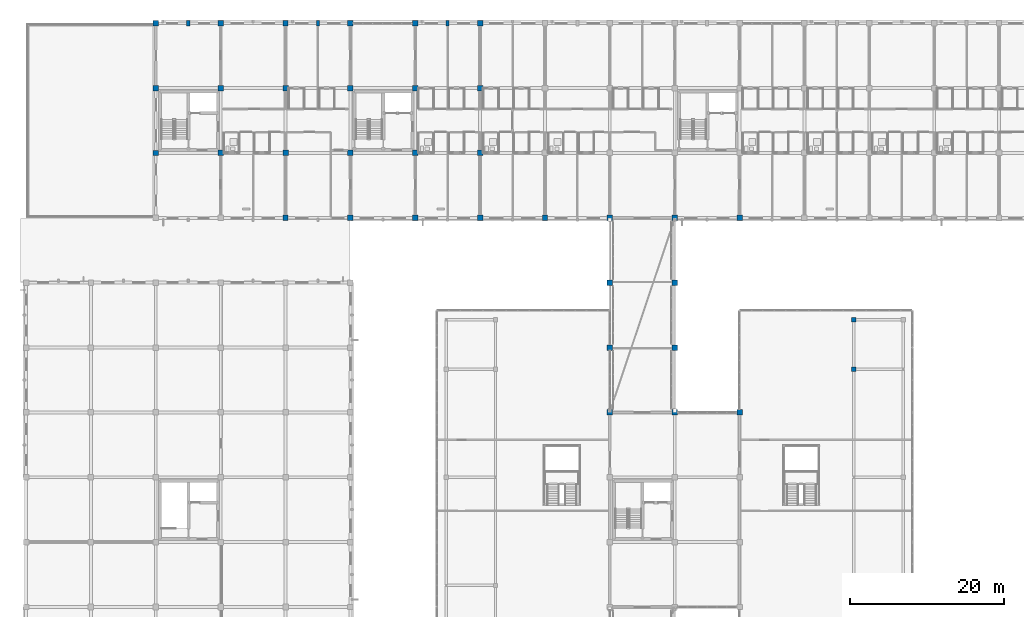
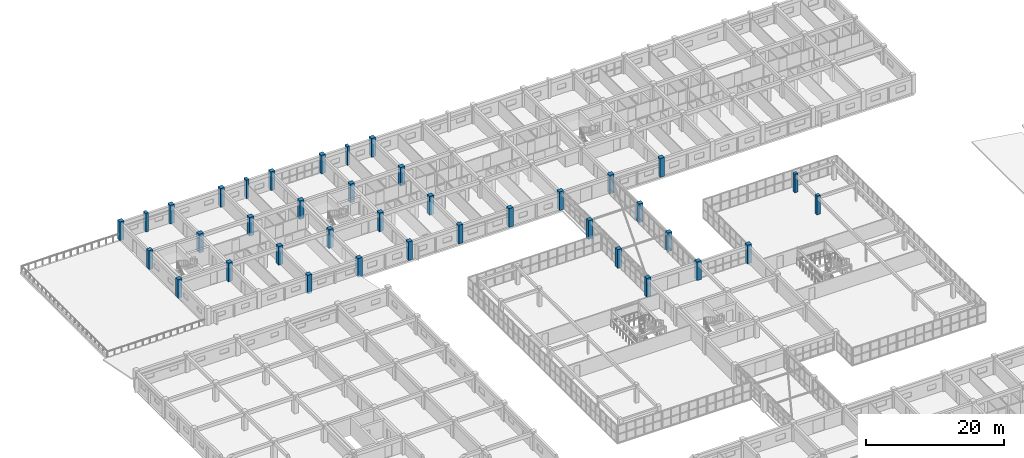
# One storey, part 9 of 148: 38 columns.
"""IFC4 building model written with IfcOpenShell, lengths in metres."""

from ifc_helpers import new_model, si_unit, direction, frame, origin, origin_2d, place, context, subcontext, project, spatial, rectangle, extrude, material, material_profile, profile_set, type_object, element, save


model = new_model("IFC4")

# Units and contexts
model_context = context("Model", 3, precision=1e-05, world=origin(), true_north=direction((0.0, 1.0)))
body_context = subcontext(model_context, "Body", "Model", "MODEL_VIEW")
ifc_project = project(units=[si_unit("LENGTHUNIT", "METRE"), si_unit("AREAUNIT", "SQUARE_METRE"), si_unit("VOLUMEUNIT", "CUBIC_METRE"), si_unit("PLANEANGLEUNIT", "RADIAN"), si_unit("MASSUNIT", "GRAM", prefix="KILO")], contexts=[model_context])

# Site, building, storey
site_placement = place(None, origin())
site = spatial("IfcSite", under=ifc_project, at=site_placement, CompositionType="ELEMENT")
building_placement = place(site_placement, origin())
building = spatial("IfcBuilding", under=site, at=building_placement, Name="Trelvath General Hospital", CompositionType="ELEMENT")
storey_placement = place(building_placement, frame((0.0, 0.0, 12.89990234375)))
storey = spatial("IfcBuildingStorey", under=building, at=storey_placement, Name="L03", CompositionType="ELEMENT", Elevation=12.89990234375)

# Columns
ifc_material_1 = material(Name="Concrete C40/50", Category="concrete")
ifc_material_profile_1 = material_profile(ifc_material_1, rectangle(XDim=0.550048828125, YDim=0.550048828125, at=origin_2d()), Name="RC550x550")
ifc_profile_set_1 = profile_set([ifc_material_profile_1], Name="Concrete C40/50")
column_type_1 = type_object("IfcColumnType", Name="Column RC550", PredefinedType="COLUMN", material=ifc_profile_set_1)
for number, where, z_axis, x_axis, name in (
    (1, (107.199951171875, 72.800048828125, 0.0), (0.0, 0.0, 1.0), (1.0, 0.0, 0.0), "Cube Interior Column CC-E04 L03"),
    (2, (107.199951171875, 79.199951171875, 0.0), (0.0, 0.0, 1.0), (1.0, 0.0, 0.0), "Cube Interior Column CC-E05 L03"),
):
    element("IfcColumn", number, at=place(storey_placement, frame(where, z_axis=z_axis, x_axis=x_axis)), inside=storey, type_object=column_type_1, Name=name, PredefinedType="COLUMN", context=body_context, shape_type="SweptSolid", body=[
        extrude(rectangle(XDim=0.550048828125, YDim=0.550048828125, at=origin_2d()), origin(), (0.0, 0.0, 1.0), 3.300048828125),
    ])
ifc_material_2 = material(Name="Concrete C40/50", Category="concrete")
ifc_material_profile_2 = material_profile(ifc_material_2, rectangle(XDim=0.699951171875, YDim=0.699951171875, at=origin_2d()), Name="RC700x700")
ifc_profile_set_2 = profile_set([ifc_material_profile_2], Name="Concrete C40/50")
column_type_2 = type_object("IfcColumnType", Name="Column RC700", PredefinedType="COLUMN", material=ifc_profile_set_2)
for number, where, z_axis, x_axis, name in (
    (3, (16.800048828125, 100.800048828125, 0.0), (0.0, 0.0, 1.0), (1.0, 0.0, 0.0), "Column C-3M L03"),
    (4, (16.800048828125, 109.199951171875, 0.0), (0.0, 0.0, 1.0), (1.0, 0.0, 0.0), "Column C-3N L03"),
    (5, (16.800048828125, 117.60009765625, 0.0), (0.0, 0.0, 1.0), (1.0, 0.0, 0.0), "Column C-3O L03"),
    (6, (25.199951171875, 117.60009765625, 0.0), (0.0, 0.0, 1.0), (1.0, 0.0, 0.0), "Column C-4O L03"),
    (7, (33.60009765625, 92.39990234375, 0.0), (0.0, 0.0, 1.0), (1.0, 0.0, 0.0), "Column C-5L L03"),
    (8, (33.60009765625, 117.60009765625, 0.0), (0.0, 0.0, 1.0), (1.0, 0.0, 0.0), "Column C-5O L03"),
    (9, (42.0, 92.39990234375, 0.0), (0.0, 0.0, 1.0), (1.0, 0.0, 0.0), "Column C-6L L03"),
    (10, (42.0, 117.60009765625, 0.0), (0.0, 0.0, 1.0), (1.0, 0.0, 0.0), "Column C-6O L03"),
    (11, (50.39990234375, 92.39990234375, 0.0), (0.0, 0.0, 1.0), (1.0, 0.0, 0.0), "Column C-7L L03"),
    (12, (50.39990234375, 117.60009765625, 0.0), (0.0, 0.0, 1.0), (1.0, 0.0, 0.0), "Column C-7O L03"),
    (13, (58.800048828125, 92.39990234375, 0.0), (0.0, 0.0, 1.0), (1.0, 0.0, 0.0), "Column C-8L L03"),
    (14, (58.800048828125, 117.60009765625, 0.0), (0.0, 0.0, 1.0), (1.0, 0.0, 0.0), "Column C-8O L03"),
    (15, (67.199951171875, 92.39990234375, 0.0), (0.0, 0.0, 1.0), (1.0, 0.0, 0.0), "Column C-9L L03"),
    (16, (75.60009765625, 67.199951171875, 0.0), (0.0, 0.0, 1.0), (1.0, 0.0, 0.0), "Column C-10I L03"),
    (17, (75.60009765625, 75.60009765625, 0.0), (0.0, 0.0, 1.0), (1.0, 0.0, 0.0), "Column C-10J L03"),
    (18, (75.60009765625, 84.0, 0.0), (0.0, 0.0, 1.0), (1.0, 0.0, 0.0), "Column C-10K L03"),
    (19, (75.60009765625, 92.39990234375, 0.0), (0.0, 0.0, 1.0), (1.0, 0.0, 0.0), "Column C-10L L03"),
    (20, (84.0, 67.199951171875, 0.0), (0.0, 0.0, 1.0), (1.0, 0.0, 0.0), "Column C-11I L03"),
    (21, (84.0, 75.60009765625, 0.0), (0.0, 0.0, 1.0), (1.0, 0.0, 0.0), "Column C-11J L03"),
    (22, (84.0, 84.0, 0.0), (0.0, 0.0, 1.0), (1.0, 0.0, 0.0), "Column C-11K L03"),
    (23, (84.0, 92.39990234375, 0.0), (0.0, 0.0, 1.0), (1.0, 0.0, 0.0), "Column C-11L L03"),
    (24, (92.39990234375, 67.199951171875, 0.0), (0.0, 0.0, 1.0), (1.0, 0.0, 0.0), "Column C-12I L03"),
    (25, (92.39990234375, 92.39990234375, 0.0), (0.0, 0.0, 1.0), (1.0, 0.0, 0.0), "Column C-12L L03"),
):
    element("IfcColumn", number, at=place(storey_placement, frame(where, z_axis=z_axis, x_axis=x_axis)), inside=storey, type_object=column_type_2, Name=name, PredefinedType="COLUMN", context=body_context, shape_type="SweptSolid", body=[
        extrude(rectangle(XDim=0.699951171875, YDim=0.699951171875, at=origin_2d()), origin(), (0.0, 0.0, 1.0), 3.300048828125),
    ])
ifc_material_3 = material(Name="Concrete C40/50", Category="concrete")
ifc_material_profile_3 = material_profile(ifc_material_3, rectangle(XDim=0.719970703125, YDim=0.719970703125, at=origin_2d()), Name="RC720x720")
ifc_profile_set_3 = profile_set([ifc_material_profile_3], Name="Concrete C40/50")
column_type_3 = type_object("IfcColumnType", Name="Column RC720", PredefinedType="COLUMN", material=ifc_profile_set_3)
for number, where, z_axis, x_axis, name in (
    (26, (25.199951171875, 100.800048828125, 0.0), (0.0, 0.0, 1.0), (1.0, 0.0, 0.0), "Column C-4M L03"),
    (27, (25.199951171875, 109.199951171875, 0.0), (0.0, 0.0, 1.0), (1.0, 0.0, 0.0), "Column C-4N L03"),
    (28, (33.60009765625, 100.800048828125, 0.0), (0.0, 0.0, 1.0), (1.0, 0.0, 0.0), "Column C-5M L03"),
    (29, (33.60009765625, 109.199951171875, 0.0), (0.0, 0.0, 1.0), (1.0, 0.0, 0.0), "Column C-5N L03"),
    (30, (42.0, 100.800048828125, 0.0), (0.0, 0.0, 1.0), (1.0, 0.0, 0.0), "Column C-6M L03"),
    (31, (42.0, 109.199951171875, 0.0), (0.0, 0.0, 1.0), (1.0, 0.0, 0.0), "Column C-6N L03"),
    (32, (50.39990234375, 100.800048828125, 0.0), (0.0, 0.0, 1.0), (1.0, 0.0, 0.0), "Column C-7M L03"),
    (33, (50.39990234375, 109.199951171875, 0.0), (0.0, 0.0, 1.0), (1.0, 0.0, 0.0), "Column C-7N L03"),
    (34, (58.800048828125, 100.800048828125, 0.0), (0.0, 0.0, 1.0), (1.0, 0.0, 0.0), "Column C-8M L03"),
    (35, (58.800048828125, 109.199951171875, 0.0), (0.0, 0.0, 1.0), (1.0, 0.0, 0.0), "Column C-8N L03"),
):
    element("IfcColumn", number, at=place(storey_placement, frame(where, z_axis=z_axis, x_axis=x_axis)), inside=storey, type_object=column_type_3, Name=name, PredefinedType="COLUMN", context=body_context, shape_type="SweptSolid", body=[
        extrude(rectangle(XDim=0.719970703125, YDim=0.719970703125, at=origin_2d()), origin(), (0.0, 0.0, 1.0), 3.300048828125),
    ])
ifc_material_4 = material(Name="Concrete C40/50", Category="concrete")
ifc_material_profile_4 = material_profile(ifc_material_4, rectangle(XDim=0.39990234375, YDim=0.699951171875, at=origin_2d()), Name="RC400x700")
ifc_profile_set_4 = profile_set([ifc_material_profile_4], Name="Concrete C40/50")
column_type_4 = type_object("IfcColumnType", Name="Pilaster RC400x700", PredefinedType="PILASTER", material=ifc_profile_set_4)
for number, where, z_axis, x_axis, name in (
    (36, (21.0, 117.60009765625, 0.0), (0.0, 0.0, 1.0), (1.0, 0.0, 0.0), "Facade Pilaster PL-N02 L03"),
    (37, (37.800048828125, 117.60009765625, 0.0), (0.0, 0.0, 1.0), (1.0, 0.0, 0.0), "Facade Pilaster PL-N04 L03"),
    (38, (54.60009765625, 117.60009765625, 0.0), (0.0, 0.0, 1.0), (1.0, 0.0, 0.0), "Facade Pilaster PL-N06 L03"),
):
    element("IfcColumn", number, at=place(storey_placement, frame(where, z_axis=z_axis, x_axis=x_axis)), inside=storey, type_object=column_type_4, Name=name, PredefinedType="PILASTER", context=body_context, shape_type="SweptSolid", body=[
        extrude(rectangle(XDim=0.39990234375, YDim=0.699951171875, at=origin_2d()), origin(), (0.0, 0.0, 1.0), 3.300048828125),
    ])

save(model, "model.ifc")
